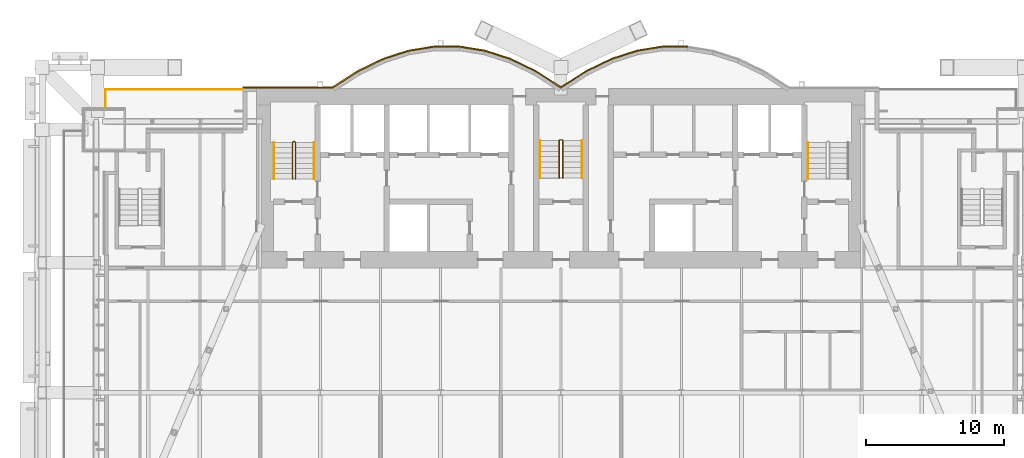
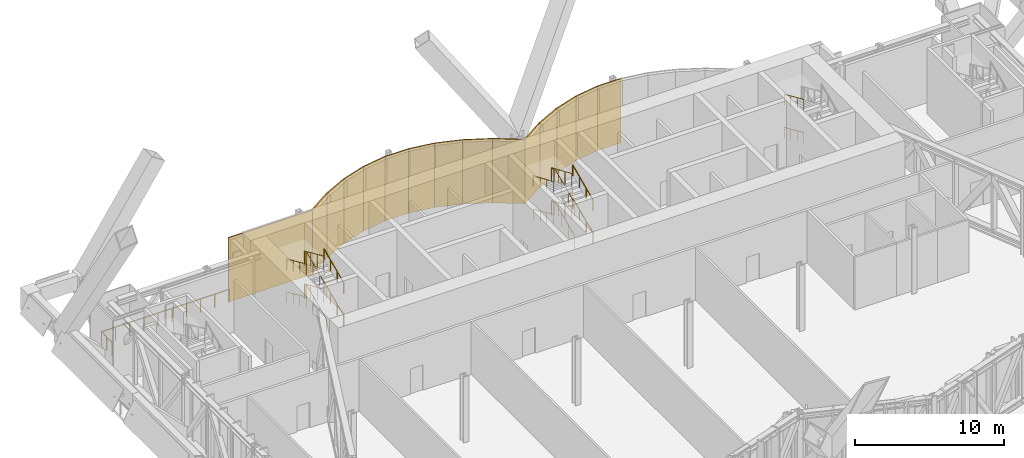
# One storey, part 31 of 32: 15 coverings, 15 railings.
"""IFC4 building model written with IfcOpenShell, lengths in metres."""

import ifcopenshell
import ifcopenshell.guid

model = None  # the IFC model being written
_history = None  # IfcOwnerHistory: only IFC2X3 demands one
_inside = {}  # id of a spatial element -> (the spatial element, [elements in it])
_under = {}  # id of a project, library or spatial element -> (it, [spatial elements below it])
_declared = {}  # id of a project -> (the project, [libraries it declares])
_typed = {}  # id of a type object -> (the type object, [elements of that type])
_made_of = {}  # id of a material, layer set ... -> (it, [elements and type objects made of it])


def new_model(schema):
    """Start an empty IFC model of exactly this schema.

    Asked for "IFC4X3", IfcOpenShell would pick the latest addendum, in which some entities
    have other attributes; the version numbers below select the first issue.
    IFC2X3 requires an IfcOwnerHistory on every rooted entity: one is made here for all.
    """
    global model, _history
    if schema == "IFC4X3":
        model = ifcopenshell.file(schema_version=(4, 3, 0, 0))
    else:
        model = ifcopenshell.file(schema=schema)
    _inside.clear()
    _under.clear()
    _declared.clear()
    _typed.clear()
    _made_of.clear()
    _history = None
    if model.schema == "IFC2X3":
        org = make("IfcOrganization", Name="unknown")
        user = make(
            "IfcPersonAndOrganization",
            ThePerson=make("IfcPerson", FamilyName="unknown"),
            TheOrganization=org,
        )
        app = make(
            "IfcApplication",
            ApplicationDeveloper=org,
            Version="unknown",
            ApplicationFullName="unknown",
            ApplicationIdentifier="unknown",
        )
        _history = make(
            "IfcOwnerHistory",
            OwningUser=user,
            OwningApplication=app,
            ChangeAction="ADDED",
            CreationDate=0,
        )
    return model


def make(cls, **values):
    """One entity of the class cls with the attributes given. An attribute that is None is left unset."""
    return model.create_entity(
        cls, **{name: value for name, value in values.items() if value is not None}
    )


def rooted(cls, **values):
    """An entity with a GlobalId (a new one), such as an element, a storey or a relation."""
    return make(cls, GlobalId=ifcopenshell.guid.new(), OwnerHistory=_history, **values)


def si_unit(unit_type, name, prefix=None):
    """IfcSIUnit, for example si_unit("LENGTHUNIT", "METRE", prefix="MILLI")."""
    return make("IfcSIUnit", UnitType=unit_type, Prefix=prefix, Name=name)


def assignment(units):
    """IfcUnitAssignment: the units of a project."""
    return None if units is None else make("IfcUnitAssignment", Units=units)


def point(xyz):
    """IfcCartesianPoint."""
    return None if xyz is None else make("IfcCartesianPoint", Coordinates=xyz)


def direction(xyz):
    """IfcDirection."""
    return None if xyz is None else make("IfcDirection", DirectionRatios=xyz)


def frame(location, z_axis=None, x_axis=None):
    """IfcAxis2Placement3D, a coordinate frame: its origin and axes. An axis left out is left unset."""
    return make(
        "IfcAxis2Placement3D",
        Location=point(location),
        Axis=direction(z_axis),
        RefDirection=direction(x_axis),
    )


def frame_2d(location, x_axis=None):
    """IfcAxis2Placement2D, a coordinate frame in the plane: its origin and x axis."""
    return make(
        "IfcAxis2Placement2D", Location=point(location), RefDirection=direction(x_axis)
    )


def origin():
    """The frame at (0, 0, 0) with its axes left unset."""
    return frame((0.0, 0.0, 0.0))


def origin_2d():
    """The frame at (0, 0) in the plane with its x axis left unset."""
    return frame_2d((0.0, 0.0))


def place(relative_to, where):
    """IfcLocalPlacement: puts the frame where relative to a parent placement (None: the world)."""
    return make(
        "IfcLocalPlacement", PlacementRelTo=relative_to, RelativePlacement=where
    )


def context(
    kind, dimensions, precision=None, world=None, true_north=None, identifier=None
):
    """IfcGeometricRepresentationContext, for example the 3D "Model" context."""
    return make(
        "IfcGeometricRepresentationContext",
        ContextIdentifier=identifier,
        ContextType=kind,
        CoordinateSpaceDimension=dimensions,
        Precision=precision,
        WorldCoordinateSystem=world,
        TrueNorth=true_north,
    )


def subcontext(parent, identifier, kind, view, scale=None):
    """IfcGeometricRepresentationSubContext, for example "Body" below "Model"."""
    return make(
        "IfcGeometricRepresentationSubContext",
        ContextIdentifier=identifier,
        ContextType=kind,
        ParentContext=parent,
        TargetScale=scale,
        TargetView=view,
    )


def project(units=None, contexts=None):
    """IfcProject with its units and contexts."""
    return rooted(
        "IfcProject",
        Name="project",
        RepresentationContexts=contexts,
        UnitsInContext=assignment(units),
    )


def spatial(cls, under=None, at=None, **own):
    """A site, building, storey or space (cls), placed at a placement, below another one or the project."""
    s = rooted(cls, ObjectPlacement=at, **own)
    if under is not None:
        _under.setdefault(under.id(), (under, []))[1].append(s)
    return s


def profile(cls, at=None, kind="AREA", **sizes):
    """A parametric profile (cls). Its sizes go by their IFC names, for example OverallWidth=200.0."""
    return make(cls, ProfileType=kind, Position=at, **sizes)


def rectangle(**sizes):
    """IfcRectangleProfileDef."""
    return profile("IfcRectangleProfileDef", **sizes)


def circle(**sizes):
    """IfcCircleProfileDef."""
    return profile("IfcCircleProfileDef", **sizes)


def extrude(swept, where, along, depth):
    """IfcExtrudedAreaSolid: the profile swept, set in the frame where, extruded along a direction by depth."""
    return make(
        "IfcExtrudedAreaSolid",
        SweptArea=swept,
        Position=where,
        ExtrudedDirection=direction(along),
        Depth=depth,
    )


def shape(context_of_items, identifier, shape_type, items):
    """IfcShapeRepresentation: the items that make up one representation, for example the "Body"."""
    return make(
        "IfcShapeRepresentation",
        ContextOfItems=context_of_items,
        RepresentationIdentifier=identifier,
        RepresentationType=shape_type,
        Items=items,
    )


def material(Name=None, Category=None):
    """IfcMaterial."""
    return make("IfcMaterial", Name=Name, Category=Category)


def layer(
    of_material, thickness, ventilated=None, Name=None, Category=None, Priority=None
):
    """IfcMaterialLayer: one layer of a wall or slab, of a material (None: an air gap)."""
    return make(
        "IfcMaterialLayer",
        Material=of_material,
        LayerThickness=thickness,
        IsVentilated=ventilated,
        Name=Name,
        Category=Category,
        Priority=Priority,
    )


def layer_set(layers, Name=None):
    """IfcMaterialLayerSet."""
    return make("IfcMaterialLayerSet", MaterialLayers=layers, LayerSetName=Name)


def made_of(thing, what):
    """Note that an element or type object is made of a material, layer set ...; save() writes the relation."""
    if what is not None:
        _made_of.setdefault(what.id(), (what, []))[1].append(thing)
    return thing


def type_object(cls, material=None, **own):
    """A type object (cls), such as IfcWallType, which elements share."""
    return made_of(rooted(cls, **own), material)


def element(
    cls,
    number,
    at=None,
    inside=None,
    cuts=None,
    type_object=None,
    material=None,
    context=None,
    identifier="Body",
    shape_type=None,
    held_by="IfcProductDefinitionShape",
    body=None,
    shapes=None,
    **own,
):
    """One element of the class cls, such as IfcWall. Its Tag is "e" and its number.

    at: its placement. inside: the storey or other place that contains it. cuts: it is an
    opening in that element (IfcRelVoidsElement). A single representation is given by context,
    identifier, shape_type and body (its items); several are given by shapes. held_by: the class
    of the entity that holds the representations. save() writes the other relations.
    """
    e = rooted(cls, Tag="e%d" % number, ObjectPlacement=at, **own)
    if body is not None:
        shapes = [shape(context, identifier, shape_type, body)]
    if shapes is not None:
        e.Representation = make(held_by, Representations=shapes)
    if inside is not None:
        _inside.setdefault(inside.id(), (inside, []))[1].append(e)
    if cuts is not None:
        rooted(
            "IfcRelVoidsElement", RelatingBuildingElement=cuts, RelatedOpeningElement=e
        )
    if type_object is not None:
        _typed.setdefault(type_object.id(), (type_object, []))[1].append(e)
    return made_of(e, material)


def aggregate(whole, parts):
    """IfcRelAggregates: a whole, such as a stair, and the parts it consists of."""
    return rooted("IfcRelAggregates", RelatingObject=whole, RelatedObjects=parts)


def save(model, path):
    """Write the relations noted so far, then the file.

    IfcRelAggregates (storeys below a building ...), IfcRelContainedInSpatialStructure (elements
    in a storey), IfcRelDefinesByType, IfcRelAssociatesMaterial and IfcRelDeclares: one each for
    every whole, place, type object, material and project.
    """
    for whole, parts in _under.values():
        aggregate(whole, parts)
    for where, things in _inside.values():
        rooted(
            "IfcRelContainedInSpatialStructure",
            RelatedElements=things,
            RelatingStructure=where,
        )
    for kind, things in _typed.values():
        rooted("IfcRelDefinesByType", RelatedObjects=things, RelatingType=kind)
    for what, things in _made_of.values():
        rooted("IfcRelAssociatesMaterial", RelatedObjects=things, RelatingMaterial=what)
    for by, libraries in _declared.values():
        rooted("IfcRelDeclares", RelatingContext=by, RelatedDefinitions=libraries)
    model.write(path)


model = new_model("IFC4")

# Units and contexts
model_context = context("Model", 3, precision=1e-05, world=origin(), true_north=direction((0.0, 1.0)))
body_context = subcontext(model_context, "Body", "Model", "MODEL_VIEW")
ifc_project = project(units=[si_unit("LENGTHUNIT", "METRE"), si_unit("AREAUNIT", "SQUARE_METRE"), si_unit("VOLUMEUNIT", "CUBIC_METRE"), si_unit("PLANEANGLEUNIT", "RADIAN"), si_unit("MASSUNIT", "GRAM", prefix="KILO")], contexts=[model_context])

# Site, building, storey
site_placement = place(None, origin())
site = spatial("IfcSite", under=ifc_project, at=site_placement, CompositionType="ELEMENT")
building_placement = place(site_placement, origin())
building = spatial("IfcBuilding", under=site, at=building_placement, Name="Bicima Exchange Tower", CompositionType="ELEMENT")
storey_placement = place(building_placement, frame((0.0, 0.0, 84.5)))
storey = spatial("IfcBuildingStorey", under=building, at=storey_placement, Name="L17", CompositionType="ELEMENT", Elevation=84.5)

# Coverings
ifc_material_1 = material(Name="Bronze metal cladding")
ifc_layer_1 = layer(ifc_material_1, 0.004)
ifc_material_2 = material(Name="Ventilated cavity")
ifc_layer_2 = layer(ifc_material_2, 0.06)
ifc_material_3 = material(Name="Galvanised steel rail and mineral wool", Category="steel")
ifc_layer_3 = layer(ifc_material_3, 0.036)
ifc_layer_set = layer_set([ifc_layer_1, ifc_layer_2, ifc_layer_3], Name="Ventilated cavity")
covering_type = type_object("IfcCoveringType", Name="Bronze metal cladding panel 100", PredefinedType="CLADDING", material=ifc_layer_set)
covering_1_placement = place(storey_placement, frame((8.25, 3.012939453125, 0.0), z_axis=(0.0, 0.0, 1.0), x_axis=(-1.0, 0.0, 0.0)))
element("IfcCovering", 1, at=covering_1_placement, inside=storey, type_object=covering_type, Name="Bronze cladding L17 12.1", PredefinedType="CLADDING", context=body_context, shape_type="SweptSolid", body=[
    extrude(rectangle(XDim=1.83349609375, YDim=0.10009765625, at=origin_2d()), origin(), (0.0, 0.0, 1.0), 5.25),
])
covering_2_placement = place(storey_placement, frame((6.40869140625, 2.8642578125, 0.0), z_axis=(0.0, 0.0, 1.0), x_axis=(-0.987189786347, -0.159550386184, 0.0)))
element("IfcCovering", 2, at=covering_2_placement, inside=storey, type_object=covering_type, Name="Bronze cladding L17 13.1", PredefinedType="CLADDING", context=body_context, shape_type="SweptSolid", body=[
    extrude(rectangle(XDim=1.857177734375, YDim=0.10009765625, at=origin_2d()), origin(), (0.0, 0.0, 1.0), 5.25),
])
covering_3_placement = place(storey_placement, frame((4.568115234375, 2.41796875, 0.0), z_axis=(0.0, 0.0, 1.0), x_axis=(-0.951524642381, -0.307572519808, 0.0)))
element("IfcCovering", 3, at=covering_3_placement, inside=storey, type_object=covering_type, Name="Bronze cladding L17 14.1", PredefinedType="CLADDING", context=body_context, shape_type="SweptSolid", body=[
    extrude(rectangle(XDim=1.9267578125, YDim=0.10009765625, at=origin_2d()), origin(), (0.0, 0.0, 1.0), 5.25),
])
covering_4_placement = place(storey_placement, frame((2.728271484375, 1.674560546875, 0.0), z_axis=(0.0, 0.0, 1.0), x_axis=(-0.899818346812, -0.436264762204, 0.0)))
element("IfcCovering", 4, at=covering_4_placement, inside=storey, type_object=covering_type, Name="Bronze cladding L17 15.1", PredefinedType="CLADDING", context=body_context, shape_type="SweptSolid", body=[
    extrude(rectangle(XDim=2.03759765625, YDim=0.10009765625, at=origin_2d()), origin(), (0.0, 0.0, 1.0), 5.25),
])
for number, where, z_axis, x_axis, name in (
    (5, (0.889404296875, 0.634521484375, 0.0), (0.0, 0.0, 1.0), (-0.839790466384, -0.542910648791, 0.0), "Bronze cladding L17 16.1"),
    (6, (-0.889404296875, 0.634521484375, 0.0), (0.0, 0.0, 1.0), (-0.839790466384, 0.542910648791, 0.0), "Bronze cladding L17 17.1"),
):
    element("IfcCovering", number, at=place(storey_placement, frame(where, z_axis=z_axis, x_axis=x_axis)), inside=storey, type_object=covering_type, Name=name, PredefinedType="CLADDING", context=body_context, shape_type="SweptSolid", body=[
        extrude(rectangle(XDim=2.18310546875, YDim=0.10009765625, at=origin_2d()), origin(), (0.0, 0.0, 1.0), 5.25),
    ])
covering_5_placement = place(storey_placement, frame((-2.728271484375, 1.674560546875, 0.0), z_axis=(0.0, 0.0, 1.0), x_axis=(-0.899818346812, 0.436264762204, 0.0)))
element("IfcCovering", 7, at=covering_5_placement, inside=storey, type_object=covering_type, Name="Bronze cladding L17 18.1", PredefinedType="CLADDING", context=body_context, shape_type="SweptSolid", body=[
    extrude(rectangle(XDim=2.03759765625, YDim=0.10009765625, at=origin_2d()), origin(), (0.0, 0.0, 1.0), 5.25),
])
covering_6_placement = place(storey_placement, frame((-4.568115234375, 2.41796875, 0.0), z_axis=(0.0, 0.0, 1.0), x_axis=(-0.951524642381, 0.307572519808, 0.0)))
element("IfcCovering", 8, at=covering_6_placement, inside=storey, type_object=covering_type, Name="Bronze cladding L17 19.1", PredefinedType="CLADDING", context=body_context, shape_type="SweptSolid", body=[
    extrude(rectangle(XDim=1.9267578125, YDim=0.10009765625, at=origin_2d()), origin(), (0.0, 0.0, 1.0), 5.25),
])
covering_7_placement = place(storey_placement, frame((-6.40869140625, 2.8642578125, 0.0), z_axis=(0.0, 0.0, 1.0), x_axis=(-0.987189786347, 0.159550386184, 0.0)))
element("IfcCovering", 9, at=covering_7_placement, inside=storey, type_object=covering_type, Name="Bronze cladding L17 20.1", PredefinedType="CLADDING", context=body_context, shape_type="SweptSolid", body=[
    extrude(rectangle(XDim=1.857177734375, YDim=0.10009765625, at=origin_2d()), origin(), (0.0, 0.0, 1.0), 5.25),
])
covering_8_placement = place(storey_placement, frame((-8.25, 3.012939453125, 0.0), z_axis=(0.0, 0.0, 1.0), x_axis=(-1.0, 0.0, 0.0)))
element("IfcCovering", 10, at=covering_8_placement, inside=storey, type_object=covering_type, Name="Bronze cladding L17 21.1", PredefinedType="CLADDING", context=body_context, shape_type="SweptSolid", body=[
    extrude(rectangle(XDim=1.83349609375, YDim=0.10009765625, at=origin_2d()), origin(), (0.0, 0.0, 1.0), 5.25),
])
covering_9_placement = place(storey_placement, frame((-10.09130859375, 2.8642578125, 0.0), z_axis=(0.0, 0.0, 1.0), x_axis=(-0.987189786347, -0.159550386184, 0.0)))
element("IfcCovering", 11, at=covering_9_placement, inside=storey, type_object=covering_type, Name="Bronze cladding L17 22.1", PredefinedType="CLADDING", context=body_context, shape_type="SweptSolid", body=[
    extrude(rectangle(XDim=1.857177734375, YDim=0.10009765625, at=origin_2d()), origin(), (0.0, 0.0, 1.0), 5.25),
])
covering_10_placement = place(storey_placement, frame((-11.931884765625, 2.41796875, 0.0), z_axis=(0.0, 0.0, 1.0), x_axis=(-0.951524642381, -0.307572519808, 0.0)))
element("IfcCovering", 12, at=covering_10_placement, inside=storey, type_object=covering_type, Name="Bronze cladding L17 23.1", PredefinedType="CLADDING", context=body_context, shape_type="SweptSolid", body=[
    extrude(rectangle(XDim=1.9267578125, YDim=0.10009765625, at=origin_2d()), origin(), (0.0, 0.0, 1.0), 5.25),
])
covering_11_placement = place(storey_placement, frame((-13.771728515625, 1.674560546875, 0.0), z_axis=(0.0, 0.0, 1.0), x_axis=(-0.899818346812, -0.436264762204, 0.0)))
element("IfcCovering", 13, at=covering_11_placement, inside=storey, type_object=covering_type, Name="Bronze cladding L17 24.1", PredefinedType="CLADDING", context=body_context, shape_type="SweptSolid", body=[
    extrude(rectangle(XDim=2.03759765625, YDim=0.10009765625, at=origin_2d()), origin(), (0.0, 0.0, 1.0), 5.25),
])
covering_12_placement = place(storey_placement, frame((-15.610595703125, 0.634521484375, 0.0), z_axis=(0.0, 0.0, 1.0), x_axis=(-0.839790466384, -0.542910648791, 0.0)))
element("IfcCovering", 14, at=covering_12_placement, inside=storey, type_object=covering_type, Name="Bronze cladding L17 25.1", PredefinedType="CLADDING", context=body_context, shape_type="SweptSolid", body=[
    extrude(rectangle(XDim=2.18310546875, YDim=0.10009765625, at=origin_2d()), origin(), (0.0, 0.0, 1.0), 5.25),
])
covering_13_placement = place(storey_placement, frame((-19.75, 0.050048828125, 0.0), z_axis=(0.0, 0.0, 1.0), x_axis=(-1.0, 0.0, 0.0)))
element("IfcCovering", 15, at=covering_13_placement, inside=storey, type_object=covering_type, Name="Bronze cladding L17 26.1", PredefinedType="CLADDING", context=body_context, shape_type="SweptSolid", body=[
    extrude(rectangle(XDim=6.5, YDim=0.10009765625, at=origin_2d()), origin(), (0.0, 0.0, 1.0), 5.25),
])

# Railings
ifc_material_4 = material(Name="Stainless steel", Category="steel")
railing_type_1 = type_object("IfcRailingType", Name="Stair guard 1100", PredefinedType="GUARDRAIL", material=ifc_material_4)
railing_1_placement = place(storey_placement, frame((-19.199951171875, -6.550048828125, 0.168701171875)))
element("IfcRailing", 16, at=railing_1_placement, inside=storey, type_object=railing_type_1, Name="L17 ST-W stair guard 1", PredefinedType="GUARDRAIL", context=body_context, shape_type="SweptSolid", body=[
    extrude(circle(Radius=0.02392578125, at=origin_2d()), frame((0.0, 0.0, 1.076171875), z_axis=(0.0, 0.912201722539, 0.409741403079), x_axis=(-1.0, 0.0, 0.0)), (0.0, 0.0, 1.0), 2.88330078125),
    extrude(circle(Radius=0.02392578125, at=origin_2d()), frame((0.0, 2.630126953125, 2.25732421875), z_axis=(-0.708833529934, 0.705375805398, 0.0), x_axis=(-0.705375805398, -0.708833529934, 0.0)), (0.0, 0.0, 1.0), 0.070556640625),
    extrude(circle(Radius=0.02392578125, at=origin_2d()), frame((-0.050048828125, 2.679931640625, 2.25732421875), z_axis=(-1.0, 0.0, 0.0), x_axis=(0.0, -1.0, 0.0)), (0.0, 0.0, 1.0), 0.10009765625),
    extrude(circle(Radius=0.02392578125, at=origin_2d()), frame((-0.150146484375, 2.679931640625, 2.25732421875), z_axis=(-0.272433089069, -0.272433089069, 0.922800316407), x_axis=(0.707106781187, -0.707106781187, 0.0)), (0.0, 0.0, 1.0), 0.182861328125),
    extrude(circle(Radius=0.02392578125, at=origin_2d()), frame((-0.199951171875, 2.630126953125, 2.42626953125), z_axis=(0.0, -0.912233369549, 0.409670940488), x_axis=(1.0, 0.0, 0.0)), (0.0, 0.0, 1.0), 2.883056640625),
    extrude(circle(Radius=0.02099609375, at=origin_2d()), origin(), (0.0, 0.0, 1.0), 1.052001953125),
    extrude(circle(Radius=0.02099609375, at=origin_2d()), frame((0.0, 0.876708984375, 0.393798828125)), (0.0, 0.0, 1.0), 1.052001953125),
    extrude(circle(Radius=0.02099609375, at=origin_2d()), frame((0.0, 1.75341796875, 0.78759765625)), (0.0, 0.0, 1.0), 1.052001953125),
    extrude(circle(Radius=0.02099609375, at=origin_2d()), frame((0.0, 2.630126953125, 1.181396484375)), (0.0, 0.0, 1.0), 1.052001953125),
    extrude(circle(Radius=0.02099609375, at=origin_2d()), frame((-0.050048828125, 2.679931640625, 1.181396484375)), (0.0, 0.0, 1.0), 1.052001953125),
    extrude(circle(Radius=0.02099609375, at=origin_2d()), frame((-0.150146484375, 2.679931640625, 1.181396484375)), (0.0, 0.0, 1.0), 1.052001953125),
    extrude(circle(Radius=0.02099609375, at=origin_2d()), frame((-0.199951171875, 2.630126953125, 1.35009765625)), (0.0, 0.0, 1.0), 1.052001953125),
    extrude(circle(Radius=0.02099609375, at=origin_2d()), frame((-0.199951171875, 1.75341796875, 1.743896484375)), (0.0, 0.0, 1.0), 1.052001953125),
    extrude(circle(Radius=0.02099609375, at=origin_2d()), frame((-0.199951171875, 0.876708984375, 2.137451171875)), (0.0, 0.0, 1.0), 1.052001953125),
    extrude(circle(Radius=0.02099609375, at=origin_2d()), frame((-0.199951171875, 0.0, 2.53125)), (0.0, 0.0, 1.0), 1.052001953125),
])
railing_2_placement = place(storey_placement, frame((-19.199951171875, -6.550048828125, 2.86865234375)))
element("IfcRailing", 17, at=railing_2_placement, inside=storey, type_object=railing_type_1, Name="L17 ST-W stair guard 2", PredefinedType="GUARDRAIL", context=body_context, shape_type="SweptSolid", body=[
    extrude(circle(Radius=0.02392578125, at=origin_2d()), frame((0.0, 0.0, 1.076171875), z_axis=(0.0, 0.912201722539, 0.409741403079), x_axis=(-1.0, 0.0, 0.0)), (0.0, 0.0, 1.0), 2.88330078125),
    extrude(circle(Radius=0.02392578125, at=origin_2d()), frame((0.0, 2.630126953125, 2.25732421875), z_axis=(-0.708833529934, 0.705375805398, 0.0), x_axis=(-0.705375805398, -0.708833529934, 0.0)), (0.0, 0.0, 1.0), 0.070556640625),
    extrude(circle(Radius=0.02392578125, at=origin_2d()), frame((-0.050048828125, 2.679931640625, 2.25732421875), z_axis=(-1.0, 0.0, 0.0), x_axis=(0.0, -1.0, 0.0)), (0.0, 0.0, 1.0), 0.10009765625),
    extrude(circle(Radius=0.02392578125, at=origin_2d()), frame((-0.150146484375, 2.679931640625, 2.25732421875), z_axis=(-0.272433089069, -0.272433089069, 0.922800316407), x_axis=(0.707106781187, -0.707106781187, 0.0)), (0.0, 0.0, 1.0), 0.182861328125),
    extrude(circle(Radius=0.02392578125, at=origin_2d()), frame((-0.199951171875, 2.630126953125, 2.42626953125), z_axis=(0.0, -0.912233369549, 0.409670940488), x_axis=(1.0, 0.0, 0.0)), (0.0, 0.0, 1.0), 2.883056640625),
    extrude(circle(Radius=0.02099609375, at=origin_2d()), origin(), (0.0, 0.0, 1.0), 1.052001953125),
    extrude(circle(Radius=0.02099609375, at=origin_2d()), frame((0.0, 0.876708984375, 0.393798828125)), (0.0, 0.0, 1.0), 1.052001953125),
    extrude(circle(Radius=0.02099609375, at=origin_2d()), frame((0.0, 1.75341796875, 0.78759765625)), (0.0, 0.0, 1.0), 1.052001953125),
    extrude(circle(Radius=0.02099609375, at=origin_2d()), frame((0.0, 2.630126953125, 1.181396484375)), (0.0, 0.0, 1.0), 1.052001953125),
    extrude(circle(Radius=0.02099609375, at=origin_2d()), frame((-0.050048828125, 2.679931640625, 1.181396484375)), (0.0, 0.0, 1.0), 1.052001953125),
    extrude(circle(Radius=0.02099609375, at=origin_2d()), frame((-0.150146484375, 2.679931640625, 1.181396484375)), (0.0, 0.0, 1.0), 1.052001953125),
    extrude(circle(Radius=0.02099609375, at=origin_2d()), frame((-0.199951171875, 2.630126953125, 1.35009765625)), (0.0, 0.0, 1.0), 1.052001953125),
    extrude(circle(Radius=0.02099609375, at=origin_2d()), frame((-0.199951171875, 1.75341796875, 1.743896484375)), (0.0, 0.0, 1.0), 1.052001953125),
    extrude(circle(Radius=0.02099609375, at=origin_2d()), frame((-0.199951171875, 0.876708984375, 2.137451171875)), (0.0, 0.0, 1.0), 1.052001953125),
    extrude(circle(Radius=0.02099609375, at=origin_2d()), frame((-0.199951171875, 0.0, 2.53125)), (0.0, 0.0, 1.0), 1.052001953125),
])
railing_3_placement = place(storey_placement, frame((0.125, -6.5, 0.168701171875)))
element("IfcRailing", 18, at=railing_3_placement, inside=storey, type_object=railing_type_1, Name="L17 ST-C stair guard 1", PredefinedType="GUARDRAIL", context=body_context, shape_type="SweptSolid", body=[
    extrude(circle(Radius=0.02392578125, at=origin_2d()), frame((0.0, 0.0, 1.076171875), z_axis=(0.0, 0.917217895875, 0.398385907741), x_axis=(-1.0, 0.0, 0.0)), (0.0, 0.0, 1.0), 2.965576171875),
    extrude(circle(Radius=0.02392578125, at=origin_2d()), frame((0.0, 2.719970703125, 2.25732421875), z_axis=(-0.707106781187, 0.707106781187, 0.0), x_axis=(-0.707106781187, -0.707106781187, 0.0)), (0.0, 0.0, 1.0), 0.07080078125),
    extrude(circle(Radius=0.02392578125, at=origin_2d()), frame((-0.050048828125, 2.77001953125, 2.25732421875), z_axis=(-1.0, 0.0, 0.0), x_axis=(0.0, -1.0, 0.0)), (0.0, 0.0, 1.0), 0.14990234375),
    extrude(circle(Radius=0.02392578125, at=origin_2d()), frame((-0.199951171875, 2.77001953125, 2.25732421875), z_axis=(-0.273569069059, -0.273569069059, 0.922127935218), x_axis=(0.707106781187, -0.707106781187, 0.0)), (0.0, 0.0, 1.0), 0.182861328125),
    extrude(circle(Radius=0.02392578125, at=origin_2d()), frame((-0.25, 2.719970703125, 2.42626953125), z_axis=(0.0, -0.917247977502, 0.398316642595), x_axis=(1.0, 0.0, 0.0)), (0.0, 0.0, 1.0), 2.96533203125),
    extrude(circle(Radius=0.02099609375, at=origin_2d()), origin(), (0.0, 0.0, 1.0), 1.052001953125),
    extrude(circle(Radius=0.02099609375, at=origin_2d()), frame((0.0, 0.90673828125, 0.393798828125)), (0.0, 0.0, 1.0), 1.052001953125),
    extrude(circle(Radius=0.02099609375, at=origin_2d()), frame((0.0, 1.813232421875, 0.78759765625)), (0.0, 0.0, 1.0), 1.052001953125),
    extrude(circle(Radius=0.02099609375, at=origin_2d()), frame((0.0, 2.719970703125, 1.181396484375)), (0.0, 0.0, 1.0), 1.052001953125),
    extrude(circle(Radius=0.02099609375, at=origin_2d()), frame((-0.050048828125, 2.77001953125, 1.181396484375)), (0.0, 0.0, 1.0), 1.052001953125),
    extrude(circle(Radius=0.02099609375, at=origin_2d()), frame((-0.199951171875, 2.77001953125, 1.181396484375)), (0.0, 0.0, 1.0), 1.052001953125),
    extrude(circle(Radius=0.02099609375, at=origin_2d()), frame((-0.25, 2.719970703125, 1.35009765625)), (0.0, 0.0, 1.0), 1.052001953125),
    extrude(circle(Radius=0.02099609375, at=origin_2d()), frame((-0.25, 1.813232421875, 1.743896484375)), (0.0, 0.0, 1.0), 1.052001953125),
    extrude(circle(Radius=0.02099609375, at=origin_2d()), frame((-0.25, 0.90673828125, 2.137451171875)), (0.0, 0.0, 1.0), 1.052001953125),
    extrude(circle(Radius=0.02099609375, at=origin_2d()), frame((-0.25, 0.0, 2.53125)), (0.0, 0.0, 1.0), 1.052001953125),
])
railing_4_placement = place(storey_placement, frame((0.125, -6.5, 2.86865234375)))
element("IfcRailing", 19, at=railing_4_placement, inside=storey, type_object=railing_type_1, Name="L17 ST-C stair guard 2", PredefinedType="GUARDRAIL", context=body_context, shape_type="SweptSolid", body=[
    extrude(circle(Radius=0.02392578125, at=origin_2d()), frame((0.0, 0.0, 1.076171875), z_axis=(0.0, 0.917217895875, 0.398385907741), x_axis=(-1.0, 0.0, 0.0)), (0.0, 0.0, 1.0), 2.965576171875),
    extrude(circle(Radius=0.02392578125, at=origin_2d()), frame((0.0, 2.719970703125, 2.25732421875), z_axis=(-0.707106781187, 0.707106781187, 0.0), x_axis=(-0.707106781187, -0.707106781187, 0.0)), (0.0, 0.0, 1.0), 0.07080078125),
    extrude(circle(Radius=0.02392578125, at=origin_2d()), frame((-0.050048828125, 2.77001953125, 2.25732421875), z_axis=(-1.0, 0.0, 0.0), x_axis=(0.0, -1.0, 0.0)), (0.0, 0.0, 1.0), 0.14990234375),
    extrude(circle(Radius=0.02392578125, at=origin_2d()), frame((-0.199951171875, 2.77001953125, 2.25732421875), z_axis=(-0.273569069059, -0.273569069059, 0.922127935218), x_axis=(0.707106781187, -0.707106781187, 0.0)), (0.0, 0.0, 1.0), 0.182861328125),
    extrude(circle(Radius=0.02392578125, at=origin_2d()), frame((-0.25, 2.719970703125, 2.42626953125), z_axis=(0.0, -0.917247977502, 0.398316642595), x_axis=(1.0, 0.0, 0.0)), (0.0, 0.0, 1.0), 2.96533203125),
    extrude(circle(Radius=0.02099609375, at=origin_2d()), origin(), (0.0, 0.0, 1.0), 1.052001953125),
    extrude(circle(Radius=0.02099609375, at=origin_2d()), frame((0.0, 0.90673828125, 0.393798828125)), (0.0, 0.0, 1.0), 1.052001953125),
    extrude(circle(Radius=0.02099609375, at=origin_2d()), frame((0.0, 1.813232421875, 0.78759765625)), (0.0, 0.0, 1.0), 1.052001953125),
    extrude(circle(Radius=0.02099609375, at=origin_2d()), frame((0.0, 2.719970703125, 1.181396484375)), (0.0, 0.0, 1.0), 1.052001953125),
    extrude(circle(Radius=0.02099609375, at=origin_2d()), frame((-0.050048828125, 2.77001953125, 1.181396484375)), (0.0, 0.0, 1.0), 1.052001953125),
    extrude(circle(Radius=0.02099609375, at=origin_2d()), frame((-0.199951171875, 2.77001953125, 1.181396484375)), (0.0, 0.0, 1.0), 1.052001953125),
    extrude(circle(Radius=0.02099609375, at=origin_2d()), frame((-0.25, 2.719970703125, 1.35009765625)), (0.0, 0.0, 1.0), 1.052001953125),
    extrude(circle(Radius=0.02099609375, at=origin_2d()), frame((-0.25, 1.813232421875, 1.743896484375)), (0.0, 0.0, 1.0), 1.052001953125),
    extrude(circle(Radius=0.02099609375, at=origin_2d()), frame((-0.25, 0.90673828125, 2.137451171875)), (0.0, 0.0, 1.0), 1.052001953125),
    extrude(circle(Radius=0.02099609375, at=origin_2d()), frame((-0.25, 0.0, 2.53125)), (0.0, 0.0, 1.0), 1.052001953125),
])
railing_type_2 = type_object("IfcRailingType", Name="Stair handrail 900", PredefinedType="HANDRAIL", material=ifc_material_4)
railing_5_placement = place(storey_placement, frame((-17.85009765625, -6.550048828125, 0.168701171875)))
element("IfcRailing", 20, at=railing_5_placement, inside=storey, type_object=railing_type_2, Name="L17 ST-W stair handrail 1", PredefinedType="HANDRAIL", context=body_context, shape_type="SweptSolid", body=[
    extrude(circle(Radius=0.02392578125, at=origin_2d()), frame((0.0, 0.0, 0.8759765625), z_axis=(0.0, 0.912201722539, 0.409741403079), x_axis=(-1.0, 0.0, 0.0)), (0.0, 0.0, 1.0), 2.88330078125),
    extrude(circle(Radius=0.02099609375, at=origin_2d()), origin(), (0.0, 0.0, 1.0), 0.851806640625),
    extrude(circle(Radius=0.02099609375, at=origin_2d()), frame((0.0, 0.876708984375, 0.393798828125)), (0.0, 0.0, 1.0), 0.851806640625),
    extrude(circle(Radius=0.02099609375, at=origin_2d()), frame((0.0, 1.75341796875, 0.78759765625)), (0.0, 0.0, 1.0), 0.851806640625),
    extrude(circle(Radius=0.02099609375, at=origin_2d()), frame((0.0, 2.630126953125, 1.181396484375)), (0.0, 0.0, 1.0), 0.851806640625),
])
railing_6_placement = place(storey_placement, frame((-20.75, -3.919921875, 1.518798828125)))
element("IfcRailing", 21, at=railing_6_placement, inside=storey, type_object=railing_type_2, Name="L17 ST-W stair handrail 2", PredefinedType="HANDRAIL", context=body_context, shape_type="SweptSolid", body=[
    extrude(circle(Radius=0.02392578125, at=origin_2d()), frame((0.0, 0.0, 0.8759765625), z_axis=(0.0, -0.912233369549, 0.409670940488), x_axis=(1.0, 0.0, 0.0)), (0.0, 0.0, 1.0), 2.883056640625),
    extrude(circle(Radius=0.02099609375, at=origin_2d()), origin(), (0.0, 0.0, 1.0), 0.851806640625),
    extrude(circle(Radius=0.02099609375, at=origin_2d()), frame((0.0, -0.876708984375, 0.393798828125)), (0.0, 0.0, 1.0), 0.851806640625),
    extrude(circle(Radius=0.02099609375, at=origin_2d()), frame((0.0, -1.75341796875, 0.787353515625)), (0.0, 0.0, 1.0), 0.851806640625),
    extrude(circle(Radius=0.02099609375, at=origin_2d()), frame((0.0, -2.630126953125, 1.18115234375)), (0.0, 0.0, 1.0), 0.851806640625),
])
railing_7_placement = place(storey_placement, frame((-17.85009765625, -6.550048828125, 2.86865234375)))
element("IfcRailing", 22, at=railing_7_placement, inside=storey, type_object=railing_type_2, Name="L17 ST-W stair handrail 3", PredefinedType="HANDRAIL", context=body_context, shape_type="SweptSolid", body=[
    extrude(circle(Radius=0.02392578125, at=origin_2d()), frame((0.0, 0.0, 0.8759765625), z_axis=(0.0, 0.912201722539, 0.409741403079), x_axis=(-1.0, 0.0, 0.0)), (0.0, 0.0, 1.0), 2.88330078125),
    extrude(circle(Radius=0.02099609375, at=origin_2d()), origin(), (0.0, 0.0, 1.0), 0.851806640625),
    extrude(circle(Radius=0.02099609375, at=origin_2d()), frame((0.0, 0.876708984375, 0.393798828125)), (0.0, 0.0, 1.0), 0.851806640625),
    extrude(circle(Radius=0.02099609375, at=origin_2d()), frame((0.0, 1.75341796875, 0.78759765625)), (0.0, 0.0, 1.0), 0.851806640625),
    extrude(circle(Radius=0.02099609375, at=origin_2d()), frame((0.0, 2.630126953125, 1.181396484375)), (0.0, 0.0, 1.0), 0.851806640625),
])
railing_8_placement = place(storey_placement, frame((-20.75, -3.919921875, 4.241455078125)))
element("IfcRailing", 23, at=railing_8_placement, inside=storey, type_object=railing_type_2, Name="L17 ST-W stair handrail 4", PredefinedType="HANDRAIL", context=body_context, shape_type="SweptSolid", body=[
    extrude(circle(Radius=0.02392578125, at=origin_2d()), frame((0.0, 0.0, 0.8759765625), z_axis=(0.0, -0.912201722539, 0.409741403079), x_axis=(1.0, 0.0, 0.0)), (0.0, 0.0, 1.0), 2.88330078125),
    extrude(circle(Radius=0.02099609375, at=origin_2d()), origin(), (0.0, 0.0, 1.0), 0.851806640625),
    extrude(circle(Radius=0.02099609375, at=origin_2d()), frame((0.0, -0.876708984375, 0.393798828125)), (0.0, 0.0, 1.0), 0.851806640625),
    extrude(circle(Radius=0.02099609375, at=origin_2d()), frame((0.0, -1.75341796875, 0.78759765625)), (0.0, 0.0, 1.0), 0.851806640625),
    extrude(circle(Radius=0.02099609375, at=origin_2d()), frame((0.0, -2.630126953125, 1.181396484375)), (0.0, 0.0, 1.0), 0.851806640625),
])
railing_9_placement = place(storey_placement, frame((1.52490234375, -6.5, 0.168701171875)))
element("IfcRailing", 24, at=railing_9_placement, inside=storey, type_object=railing_type_2, Name="L17 ST-C stair handrail 1", PredefinedType="HANDRAIL", context=body_context, shape_type="SweptSolid", body=[
    extrude(circle(Radius=0.02392578125, at=origin_2d()), frame((0.0, 0.0, 0.8759765625), z_axis=(0.0, 0.917217895875, 0.398385907741), x_axis=(-1.0, 0.0, 0.0)), (0.0, 0.0, 1.0), 2.965576171875),
    extrude(circle(Radius=0.02099609375, at=origin_2d()), origin(), (0.0, 0.0, 1.0), 0.851806640625),
    extrude(circle(Radius=0.02099609375, at=origin_2d()), frame((0.0, 0.90673828125, 0.393798828125)), (0.0, 0.0, 1.0), 0.851806640625),
    extrude(circle(Radius=0.02099609375, at=origin_2d()), frame((0.0, 1.813232421875, 0.78759765625)), (0.0, 0.0, 1.0), 0.851806640625),
    extrude(circle(Radius=0.02099609375, at=origin_2d()), frame((0.0, 2.719970703125, 1.181396484375)), (0.0, 0.0, 1.0), 0.851806640625),
])
railing_10_placement = place(storey_placement, frame((-1.52490234375, -3.780029296875, 1.518798828125)))
element("IfcRailing", 25, at=railing_10_placement, inside=storey, type_object=railing_type_2, Name="L17 ST-C stair handrail 2", PredefinedType="HANDRAIL", context=body_context, shape_type="SweptSolid", body=[
    extrude(circle(Radius=0.02392578125, at=origin_2d()), frame((0.0, 0.0, 0.8759765625), z_axis=(0.0, -0.917247977502, 0.398316642595), x_axis=(1.0, 0.0, 0.0)), (0.0, 0.0, 1.0), 2.96533203125),
    extrude(circle(Radius=0.02099609375, at=origin_2d()), origin(), (0.0, 0.0, 1.0), 0.851806640625),
    extrude(circle(Radius=0.02099609375, at=origin_2d()), frame((0.0, -0.90673828125, 0.393798828125)), (0.0, 0.0, 1.0), 0.851806640625),
    extrude(circle(Radius=0.02099609375, at=origin_2d()), frame((0.0, -1.813232421875, 0.787353515625)), (0.0, 0.0, 1.0), 0.851806640625),
    extrude(circle(Radius=0.02099609375, at=origin_2d()), frame((0.0, -2.719970703125, 1.18115234375)), (0.0, 0.0, 1.0), 0.851806640625),
])
railing_11_placement = place(storey_placement, frame((1.52490234375, -6.5, 2.86865234375)))
element("IfcRailing", 26, at=railing_11_placement, inside=storey, type_object=railing_type_2, Name="L17 ST-C stair handrail 3", PredefinedType="HANDRAIL", context=body_context, shape_type="SweptSolid", body=[
    extrude(circle(Radius=0.02392578125, at=origin_2d()), frame((0.0, 0.0, 0.8759765625), z_axis=(0.0, 0.917217895875, 0.398385907741), x_axis=(-1.0, 0.0, 0.0)), (0.0, 0.0, 1.0), 2.965576171875),
    extrude(circle(Radius=0.02099609375, at=origin_2d()), origin(), (0.0, 0.0, 1.0), 0.851806640625),
    extrude(circle(Radius=0.02099609375, at=origin_2d()), frame((0.0, 0.90673828125, 0.393798828125)), (0.0, 0.0, 1.0), 0.851806640625),
    extrude(circle(Radius=0.02099609375, at=origin_2d()), frame((0.0, 1.813232421875, 0.78759765625)), (0.0, 0.0, 1.0), 0.851806640625),
    extrude(circle(Radius=0.02099609375, at=origin_2d()), frame((0.0, 2.719970703125, 1.181396484375)), (0.0, 0.0, 1.0), 0.851806640625),
])
railing_12_placement = place(storey_placement, frame((-1.52490234375, -3.780029296875, 4.241455078125)))
element("IfcRailing", 27, at=railing_12_placement, inside=storey, type_object=railing_type_2, Name="L17 ST-C stair handrail 4", PredefinedType="HANDRAIL", context=body_context, shape_type="SweptSolid", body=[
    extrude(circle(Radius=0.02392578125, at=origin_2d()), frame((0.0, 0.0, 0.8759765625), z_axis=(0.0, -0.917217895875, 0.398385907741), x_axis=(1.0, 0.0, 0.0)), (0.0, 0.0, 1.0), 2.965576171875),
    extrude(circle(Radius=0.02099609375, at=origin_2d()), origin(), (0.0, 0.0, 1.0), 0.851806640625),
    extrude(circle(Radius=0.02099609375, at=origin_2d()), frame((0.0, -0.90673828125, 0.393798828125)), (0.0, 0.0, 1.0), 0.851806640625),
    extrude(circle(Radius=0.02099609375, at=origin_2d()), frame((0.0, -1.813232421875, 0.78759765625)), (0.0, 0.0, 1.0), 0.851806640625),
    extrude(circle(Radius=0.02099609375, at=origin_2d()), frame((0.0, -2.719970703125, 1.181396484375)), (0.0, 0.0, 1.0), 0.851806640625),
])
railing_13_placement = place(storey_placement, frame((17.85009765625, -3.919921875, 1.518798828125)))
element("IfcRailing", 28, at=railing_13_placement, inside=storey, type_object=railing_type_2, Name="L17 ST-E stair handrail 2", PredefinedType="HANDRAIL", context=body_context, shape_type="SweptSolid", body=[
    extrude(circle(Radius=0.02392578125, at=origin_2d()), frame((0.0, 0.0, 0.8759765625), z_axis=(0.0, -0.912233369549, 0.409670940488), x_axis=(1.0, 0.0, 0.0)), (0.0, 0.0, 1.0), 2.883056640625),
    extrude(circle(Radius=0.02099609375, at=origin_2d()), origin(), (0.0, 0.0, 1.0), 0.851806640625),
    extrude(circle(Radius=0.02099609375, at=origin_2d()), frame((0.0, -0.876708984375, 0.393798828125)), (0.0, 0.0, 1.0), 0.851806640625),
    extrude(circle(Radius=0.02099609375, at=origin_2d()), frame((0.0, -1.75341796875, 0.787353515625)), (0.0, 0.0, 1.0), 0.851806640625),
    extrude(circle(Radius=0.02099609375, at=origin_2d()), frame((0.0, -2.630126953125, 1.18115234375)), (0.0, 0.0, 1.0), 0.851806640625),
])
railing_14_placement = place(storey_placement, frame((17.85009765625, -3.919921875, 4.241455078125)))
element("IfcRailing", 29, at=railing_14_placement, inside=storey, type_object=railing_type_2, Name="L17 ST-E stair handrail 4", PredefinedType="HANDRAIL", context=body_context, shape_type="SweptSolid", body=[
    extrude(circle(Radius=0.02392578125, at=origin_2d()), frame((0.0, 0.0, 0.8759765625), z_axis=(0.0, -0.912201722539, 0.409741403079), x_axis=(1.0, 0.0, 0.0)), (0.0, 0.0, 1.0), 2.88330078125),
    extrude(circle(Radius=0.02099609375, at=origin_2d()), origin(), (0.0, 0.0, 1.0), 0.851806640625),
    extrude(circle(Radius=0.02099609375, at=origin_2d()), frame((0.0, -0.876708984375, 0.393798828125)), (0.0, 0.0, 1.0), 0.851806640625),
    extrude(circle(Radius=0.02099609375, at=origin_2d()), frame((0.0, -1.75341796875, 0.78759765625)), (0.0, 0.0, 1.0), 0.851806640625),
    extrude(circle(Radius=0.02099609375, at=origin_2d()), frame((0.0, -2.630126953125, 1.181396484375)), (0.0, 0.0, 1.0), 0.851806640625),
])
ifc_material_5 = material(Name="Stainless steel and bonded safety glass", Category="steel")
railing_type_3 = type_object("IfcRailingType", Name="Terrace guard 1100", PredefinedType="GUARDRAIL", material=ifc_material_5)
railing_15_placement = place(storey_placement, frame((-32.919921875, -1.5, 0.0)))
element("IfcRailing", 30, at=railing_15_placement, inside=storey, type_object=railing_type_3, Name="Terrace guard L17 2", PredefinedType="GUARDRAIL", context=body_context, shape_type="SweptSolid", body=[
    extrude(circle(Radius=0.02392578125, at=origin_2d()), frame((0.0, 0.0, 1.076171875), z_axis=(0.0, 1.0, 0.0), x_axis=(-1.0, 0.0, 0.0)), (0.0, 0.0, 1.0), 1.419921875),
    extrude(circle(Radius=0.02392578125, at=origin_2d()), frame((0.0, 1.419921875, 1.076171875), z_axis=(1.0, 0.0, 0.0), x_axis=(0.0, 1.0, 0.0)), (0.0, 0.0, 1.0), 9.89990234375),
    extrude(circle(Radius=0.02099609375, at=origin_2d()), origin(), (0.0, 0.0, 1.0), 1.052001953125),
    extrude(circle(Radius=0.02099609375, at=origin_2d()), frame((0.0, 0.7099609375, 0.0)), (0.0, 0.0, 1.0), 1.052001953125),
    extrude(circle(Radius=0.02099609375, at=origin_2d()), frame((0.0, 1.419921875, 0.0)), (0.0, 0.0, 1.0), 1.052001953125),
    extrude(circle(Radius=0.02099609375, at=origin_2d()), frame((1.10009765625, 1.419921875, 0.0)), (0.0, 0.0, 1.0), 1.052001953125),
    extrude(circle(Radius=0.02099609375, at=origin_2d()), frame((2.199951171875, 1.419921875, 0.0)), (0.0, 0.0, 1.0), 1.052001953125),
    extrude(circle(Radius=0.02099609375, at=origin_2d()), frame((3.300048828125, 1.419921875, 0.0)), (0.0, 0.0, 1.0), 1.052001953125),
    extrude(circle(Radius=0.02099609375, at=origin_2d()), frame((4.39990234375, 1.419921875, 0.0)), (0.0, 0.0, 1.0), 1.052001953125),
    extrude(circle(Radius=0.02099609375, at=origin_2d()), frame((5.5, 1.419921875, 0.0)), (0.0, 0.0, 1.0), 1.052001953125),
    extrude(circle(Radius=0.02099609375, at=origin_2d()), frame((6.599853515625, 1.419921875, 0.0)), (0.0, 0.0, 1.0), 1.052001953125),
    extrude(circle(Radius=0.02099609375, at=origin_2d()), frame((7.699951171875, 1.419921875, 0.0)), (0.0, 0.0, 1.0), 1.052001953125),
    extrude(circle(Radius=0.02099609375, at=origin_2d()), frame((8.7998046875, 1.419921875, 0.0)), (0.0, 0.0, 1.0), 1.052001953125),
    extrude(circle(Radius=0.02099609375, at=origin_2d()), frame((9.89990234375, 1.419921875, 0.0)), (0.0, 0.0, 1.0), 1.052001953125),
])

save(model, "model.ifc")
